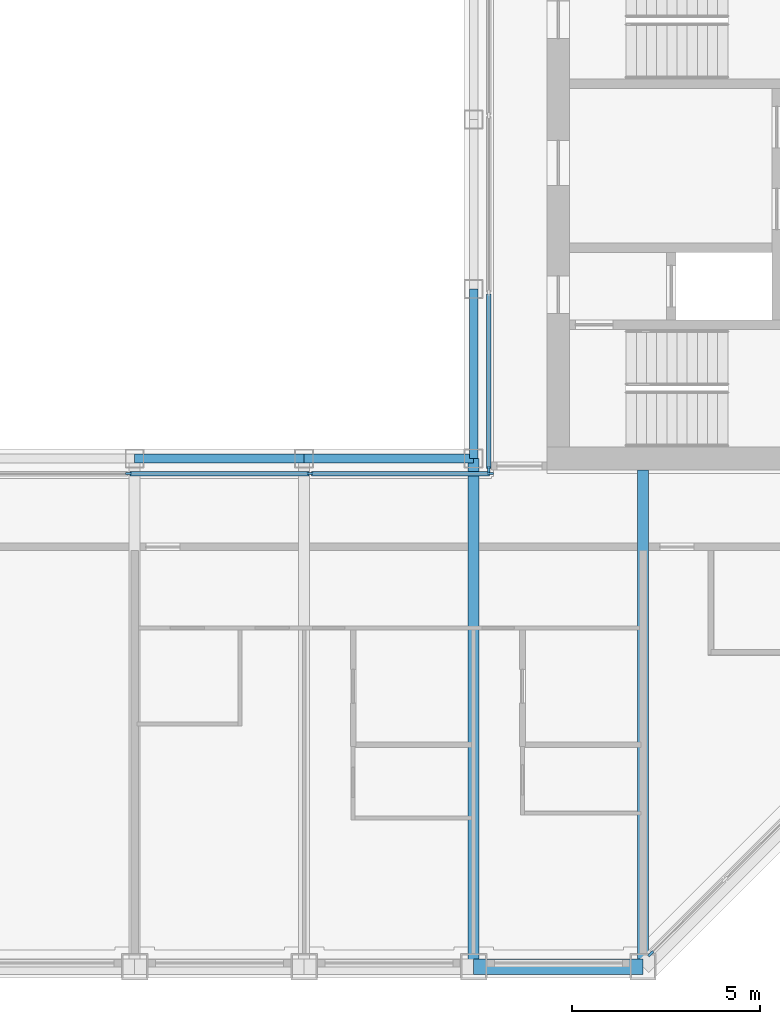
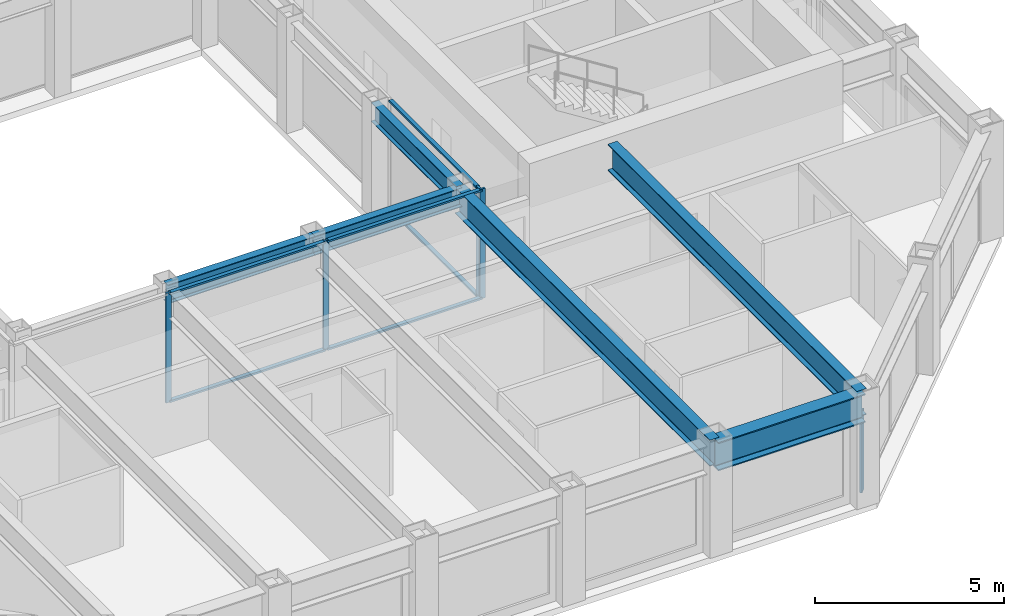
# One storey, part 3 of 17: 11 members, 6 beams, 3 elements without a shape of their own.
"""IFC4 building model written with IfcOpenShell, lengths in metres."""

from ifc_helpers import new_model, si_unit, direction, frame, origin, origin_2d, place, context, subcontext, project, spatial, rectangle, i_section, extrude, material, material_profile, profile_set, type_object, element, aggregate, save


model = new_model("IFC4")

# Units and contexts
model_context = context("Model", 3, precision=1e-05, world=origin(), true_north=direction((0.0, 1.0)))
body_context = subcontext(model_context, "Body", "Model", "MODEL_VIEW")
ifc_project = project(units=[si_unit("LENGTHUNIT", "METRE"), si_unit("AREAUNIT", "SQUARE_METRE"), si_unit("VOLUMEUNIT", "CUBIC_METRE"), si_unit("PLANEANGLEUNIT", "RADIAN"), si_unit("MASSUNIT", "GRAM", prefix="KILO")], contexts=[model_context])

# Site, building, storey
site_placement = place(None, origin())
site = spatial("IfcSite", under=ifc_project, at=site_placement, CompositionType="ELEMENT")
building_placement = place(site_placement, origin())
building = spatial("IfcBuilding", under=site, at=building_placement, Name="Msasa Ring Tower", CompositionType="ELEMENT")
storey_placement = place(building_placement, frame((0.0, 0.0, 238.300048828125)))
storey = spatial("IfcBuildingStorey", under=building, at=storey_placement, Name="L62", CompositionType="ELEMENT", Elevation=238.300048828125)

# Curtain wall, member
ifc_material_1 = material(Name="Aluminium curtain wall with clear glass", Category="aluminium")
curtain_wall_type_1 = type_object("IfcCurtainWallType", Name="CW-C CHAMFER CORNER CURTAIN WALL", PredefinedType="NOTDEFINED", material=ifc_material_1)
curtain_wall_1_placement = place(storey_placement, origin())
curtain_wall_1 = element("IfcCurtainWall", 1, at=curtain_wall_1_placement, inside=storey, type_object=curtain_wall_type_1, Name="Chamfer corner curtain wall SE L62", PredefinedType="NOTDEFINED")
ifc_material_2 = material(Name="Aluminium mullion", Category="aluminium")
ifc_material_profile_1 = material_profile(ifc_material_2, rectangle(XDim=0.06494140625, YDim=0.179931640625, at=origin_2d()), Name="AL 65x180")
ifc_profile_set_1 = profile_set([ifc_material_profile_1], Name="Aluminium mullion")
member_type_1 = type_object("IfcMemberType", Name="CW-C MULLION 65x180", PredefinedType="MULLION", material=ifc_profile_set_1)
member_1_placement = place(storey_placement, frame((11.453369140625, -19.9052734375, 0.0), z_axis=(0.0, 0.0, 1.0), x_axis=(-0.707106781187, 0.707106781187, 0.0)))
member_1 = element("IfcMember", 2, at=member_1_placement, type_object=member_type_1, Name="CW-C mullion 1", PredefinedType="MULLION", context=body_context, shape_type="SweptSolid", body=[
    extrude(rectangle(XDim=0.06494140625, YDim=0.179931640625, at=origin_2d()), origin(), (0.0, 0.0, 1.0), 2.62890625),
])
aggregate(curtain_wall_1, [member_1])

# Curtain wall, members
ifc_material_3 = material(Name="Aluminium curtain wall with clear glass", Category="aluminium")
curtain_wall_type_2 = type_object("IfcCurtainWallType", Name="CW-W LIGHT WELL CURTAIN WALL", PredefinedType="NOTDEFINED", material=ifc_material_3)
curtain_wall_2_placement = place(storey_placement, origin())
curtain_wall_2 = element("IfcCurtainWall", 3, at=curtain_wall_2_placement, inside=storey, type_object=curtain_wall_type_2, Name="Light well curtain wall S L62", PredefinedType="NOTDEFINED")
ifc_material_4 = material(Name="Aluminium mullion", Category="aluminium")
ifc_material_profile_2 = material_profile(ifc_material_4, rectangle(XDim=0.06005859375, YDim=0.159912109375, at=origin_2d()), Name="AL 60x160")
ifc_profile_set_2 = profile_set([ifc_material_profile_2], Name="Aluminium mullion")
member_type_2 = type_object("IfcMemberType", Name="CW-W MULLION 60x160", PredefinedType="MULLION", material=ifc_profile_set_2)
member_2_placement = place(storey_placement, frame((-2.409912109375, -7.14990234375, 0.0), z_axis=(0.0, 0.0, 1.0), x_axis=(0.0, 1.0, 0.0)))
member_2 = element("IfcMember", 4, at=member_2_placement, type_object=member_type_2, Name="CW-W mullion 2", PredefinedType="MULLION", context=body_context, shape_type="SweptSolid", body=[
    extrude(rectangle(XDim=0.06005859375, YDim=0.159912109375, at=origin_2d()), origin(), (0.0, 0.0, 1.0), 3.550048828125),
])
member_3_placement = place(storey_placement, frame((2.409912109375, -7.14990234375, 0.0), z_axis=(0.0, 0.0, 1.0), x_axis=(0.0, 1.0, 0.0)))
member_3 = element("IfcMember", 5, at=member_3_placement, type_object=member_type_2, Name="CW-W mullion 3", PredefinedType="MULLION", context=body_context, shape_type="SweptSolid", body=[
    extrude(rectangle(XDim=0.06005859375, YDim=0.159912109375, at=origin_2d()), origin(), (0.0, 0.0, 1.0), 3.550048828125),
])
member_4_placement = place(storey_placement, frame((7.199951171875, -7.14990234375, 0.0), z_axis=(0.0, 0.0, 1.0), x_axis=(0.0, 1.0, 0.0)))
member_4 = element("IfcMember", 6, at=member_4_placement, type_object=member_type_2, Name="CW-W mullion 4", PredefinedType="MULLION", context=body_context, shape_type="SweptSolid", body=[
    extrude(rectangle(XDim=0.06005859375, YDim=0.159912109375, at=origin_2d()), origin(), (0.0, 0.0, 1.0), 3.550048828125),
])

# Curtain wall, member
curtain_wall_3_placement = place(storey_placement, origin())
curtain_wall_3 = element("IfcCurtainWall", 7, at=curtain_wall_3_placement, inside=storey, type_object=curtain_wall_type_2, Name="Light well curtain wall E L62", PredefinedType="NOTDEFINED")
member_5_placement = place(storey_placement, frame((7.14990234375, -7.0400390625, 0.0), z_axis=(0.0, 0.0, 1.0), x_axis=(-1.0, 0.0, 0.0)))
member_5 = element("IfcMember", 8, at=member_5_placement, type_object=member_type_2, Name="CW-W mullion 1", PredefinedType="MULLION", context=body_context, shape_type="SweptSolid", body=[
    extrude(rectangle(XDim=0.06005859375, YDim=0.159912109375, at=origin_2d()), origin(), (0.0, 0.0, 1.0), 3.550048828125),
])

# Member
ifc_material_5 = material(Name="Aluminium transom", Category="aluminium")
ifc_material_profile_3 = material_profile(ifc_material_5, rectangle(XDim=0.1201171875, YDim=0.06005859375, at=origin_2d()), Name="AL 60x120")
ifc_profile_set_3 = profile_set([ifc_material_profile_3], Name="Aluminium transom")
member_type_3 = type_object("IfcMemberType", Name="CW-W TRANSOM 60x120", PredefinedType="USERDEFINED", material=ifc_profile_set_3)
member_6_placement = place(storey_placement, frame((-2.3798828125, -7.14990234375, 0.030029296875), z_axis=(1.0, 0.0, 0.0), x_axis=(0.0, 1.0, 0.0)))
member_6 = element("IfcMember", 9, at=member_6_placement, type_object=member_type_3, Name="CW-W transom 2.1", ObjectType="TRANSOM", PredefinedType="USERDEFINED", context=body_context, shape_type="SweptSolid", body=[
    extrude(rectangle(XDim=0.1201171875, YDim=0.06005859375, at=origin_2d()), origin(), (0.0, 0.0, 1.0), 4.759765625),
])

member_7_placement = place(storey_placement, frame((-2.3798828125, -7.14990234375, 3.52001953125), z_axis=(1.0, 0.0, 0.0), x_axis=(0.0, 1.0, 0.0)))
member_7 = element("IfcMember", 10, at=member_7_placement, type_object=member_type_3, Name="CW-W transom 2.2", ObjectType="TRANSOM", PredefinedType="USERDEFINED", context=body_context, shape_type="SweptSolid", body=[
    extrude(rectangle(XDim=0.1201171875, YDim=0.06005859375, at=origin_2d()), origin(), (0.0, 0.0, 1.0), 4.759765625),
])

member_8_placement = place(storey_placement, frame((2.43994140625, -7.14990234375, 0.030029296875), z_axis=(1.0, 0.0, 0.0), x_axis=(0.0, 1.0, 0.0)))
member_8 = element("IfcMember", 11, at=member_8_placement, type_object=member_type_3, Name="CW-W transom 3.1", ObjectType="TRANSOM", PredefinedType="USERDEFINED", context=body_context, shape_type="SweptSolid", body=[
    extrude(rectangle(XDim=0.1201171875, YDim=0.06005859375, at=origin_2d()), origin(), (0.0, 0.0, 1.0), 4.72998046875),
])

member_9_placement = place(storey_placement, frame((2.43994140625, -7.14990234375, 3.52001953125), z_axis=(1.0, 0.0, 0.0), x_axis=(0.0, 1.0, 0.0)))
member_9 = element("IfcMember", 12, at=member_9_placement, type_object=member_type_3, Name="CW-W transom 3.2", ObjectType="TRANSOM", PredefinedType="USERDEFINED", context=body_context, shape_type="SweptSolid", body=[
    extrude(rectangle(XDim=0.1201171875, YDim=0.06005859375, at=origin_2d()), origin(), (0.0, 0.0, 1.0), 4.72998046875),
])

aggregate(curtain_wall_2, [member_2, member_3, member_4, member_6, member_7, member_8, member_9])

member_10_placement = place(storey_placement, frame((7.14990234375, -7.010009765625, 0.030029296875), z_axis=(0.0, 1.0, 0.0), x_axis=(-1.0, 0.0, 0.0)))
member_10 = element("IfcMember", 13, at=member_10_placement, type_object=member_type_3, Name="CW-W transom 1.1", ObjectType="TRANSOM", PredefinedType="USERDEFINED", context=body_context, shape_type="SweptSolid", body=[
    extrude(rectangle(XDim=0.1201171875, YDim=0.06005859375, at=origin_2d()), origin(), (0.0, 0.0, 1.0), 4.623291015625),
])

member_11_placement = place(storey_placement, frame((7.14990234375, -7.010009765625, 3.52001953125), z_axis=(0.0, 1.0, 0.0), x_axis=(-1.0, 0.0, 0.0)))
member_11 = element("IfcMember", 14, at=member_11_placement, type_object=member_type_3, Name="CW-W transom 1.2", ObjectType="TRANSOM", PredefinedType="USERDEFINED", context=body_context, shape_type="SweptSolid", body=[
    extrude(rectangle(XDim=0.1201171875, YDim=0.06005859375, at=origin_2d()), origin(), (0.0, 0.0, 1.0), 4.623291015625),
])

aggregate(curtain_wall_3, [member_5, member_10, member_11])

# Beams
ifc_material_6 = material(Name="Steel S355", Category="steel")
ifc_material_profile_4 = material_profile(ifc_material_6, i_section(OverallWidth=0.293701171875, OverallDepth=0.850830078125, WebThickness=0.01611328125, FlangeThickness=0.02685546875, FilletRadius=0.017822265625, at=origin_2d()), Name="UB 838x292x226")
ifc_profile_set_4 = profile_set([ifc_material_profile_4], Name="Steel S355")
beam_type_1 = type_object("IfcBeamType", Name="FB5 UB 838x292x226", PredefinedType="BEAM", material=ifc_profile_set_4)
beam_1_placement = place(storey_placement, frame((6.75, -20.25, 3.12451171875), z_axis=(0.0, 1.0, 0.0), x_axis=(-1.0, 0.0, 0.0)))
element("IfcBeam", 15, at=beam_1_placement, inside=storey, type_object=beam_type_1, Name="Floor beam S+6.75 under L63", PredefinedType="BEAM", context=body_context, shape_type="SweptSolid", body=[
    extrude(i_section(OverallWidth=0.293701171875, OverallDepth=0.850830078125, WebThickness=0.01611328125, FlangeThickness=0.02685546875, FilletRadius=0.017822265625, at=origin_2d()), origin(), (0.0, 0.0, 1.0), 13.5),
])
beam_2_placement = place(storey_placement, frame((11.25, -20.25, 3.12451171875), z_axis=(0.0, 1.0, 0.0), x_axis=(-1.0, 0.0, 0.0)))
element("IfcBeam", 16, at=beam_2_placement, inside=storey, type_object=beam_type_1, Name="Floor beam S+11.25 under L63", PredefinedType="BEAM", context=body_context, shape_type="SweptSolid", body=[
    extrude(i_section(OverallWidth=0.293701171875, OverallDepth=0.850830078125, WebThickness=0.01611328125, FlangeThickness=0.02685546875, FilletRadius=0.017822265625, at=origin_2d()), origin(), (0.0, 0.0, 1.0), 13.199951171875),
])
ifc_material_7 = material(Name="Steel S355", Category="steel")
ifc_material_profile_5 = material_profile(ifc_material_7, i_section(OverallWidth=0.230224609375, OverallDepth=0.6171875, WebThickness=0.01318359375, FlangeThickness=0.022216796875, FilletRadius=0.0126953125, at=origin_2d()), Name="UB 610x229x140")
ifc_profile_set_5 = profile_set([ifc_material_profile_5], Name="Steel S355")
beam_type_2 = type_object("IfcBeamType", Name="RB1 UB 610x229x140", PredefinedType="BEAM", material=ifc_profile_set_5)
for number, where, z_axis, x_axis, name in (
    (17, (-2.25, -6.75, 3.241455078125), (1.0, 0.0, 0.0), (0.0, 1.0, 0.0), "Inner ring beam IR-2.25-6.75 under L63"),
    (18, (2.25, -6.75, 3.241455078125), (1.0, 0.0, 0.0), (0.0, 1.0, 0.0), "Inner ring beam IR+2.25-6.75 under L63"),
    (19, (6.75, -6.75, 3.241455078125), (0.0, 1.0, 0.0), (-1.0, 0.0, 0.0), "Inner ring beam IR+6.75-6.75 under L63"),
):
    element("IfcBeam", number, at=place(storey_placement, frame(where, z_axis=z_axis, x_axis=x_axis)), inside=storey, type_object=beam_type_2, Name=name, PredefinedType="BEAM", context=body_context, shape_type="SweptSolid", body=[
        extrude(i_section(OverallWidth=0.230224609375, OverallDepth=0.6171875, WebThickness=0.01318359375, FlangeThickness=0.022216796875, FilletRadius=0.0126953125, at=origin_2d()), origin(), (0.0, 0.0, 1.0), 4.5),
    ])
ifc_material_8 = material(Name="Steel S355", Category="steel")
ifc_material_profile_6 = material_profile(ifc_material_8, i_section(OverallWidth=0.42041015625, OverallDepth=0.9208984375, WebThickness=0.021484375, FlangeThickness=0.03662109375, FilletRadius=0.024169921875, at=origin_2d()), Name="UB 914x419x388")
ifc_profile_set_6 = profile_set([ifc_material_profile_6], Name="Steel S355")
beam_type_3 = type_object("IfcBeamType", Name="SB1 UB 914x419x388", PredefinedType="SPANDREL", material=ifc_profile_set_6)
beam_3_placement = place(storey_placement, frame((6.75, -20.25, 3.08935546875), z_axis=(1.0, 0.0, 0.0), x_axis=(0.0, 1.0, 0.0)))
element("IfcBeam", 20, at=beam_3_placement, inside=storey, type_object=beam_type_3, Name="Spandrel S+6.75 to S+11.25 under L63", PredefinedType="SPANDREL", context=body_context, shape_type="SweptSolid", body=[
    extrude(i_section(OverallWidth=0.42041015625, OverallDepth=0.9208984375, WebThickness=0.021484375, FlangeThickness=0.03662109375, FilletRadius=0.024169921875, at=origin_2d()), origin(), (0.0, 0.0, 1.0), 4.5),
])

save(model, "model.ifc")
